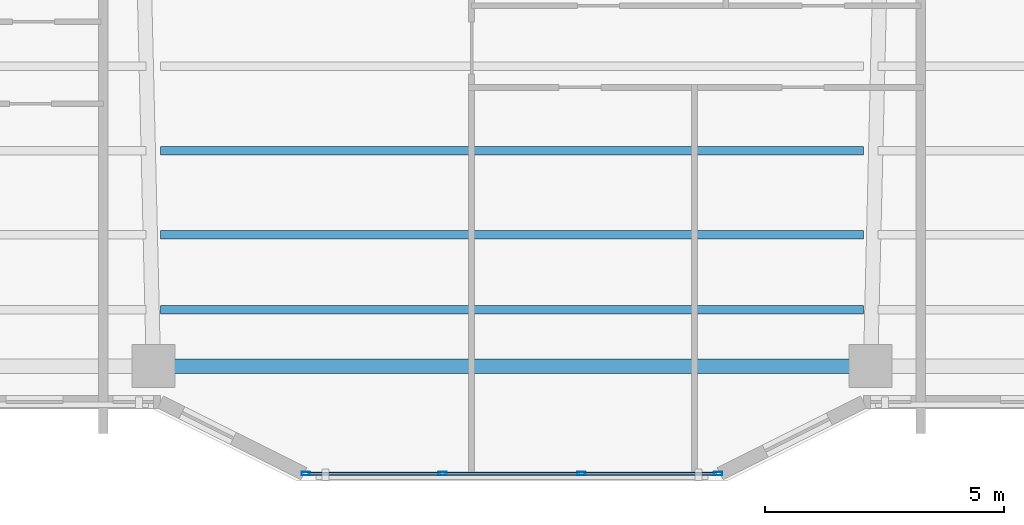
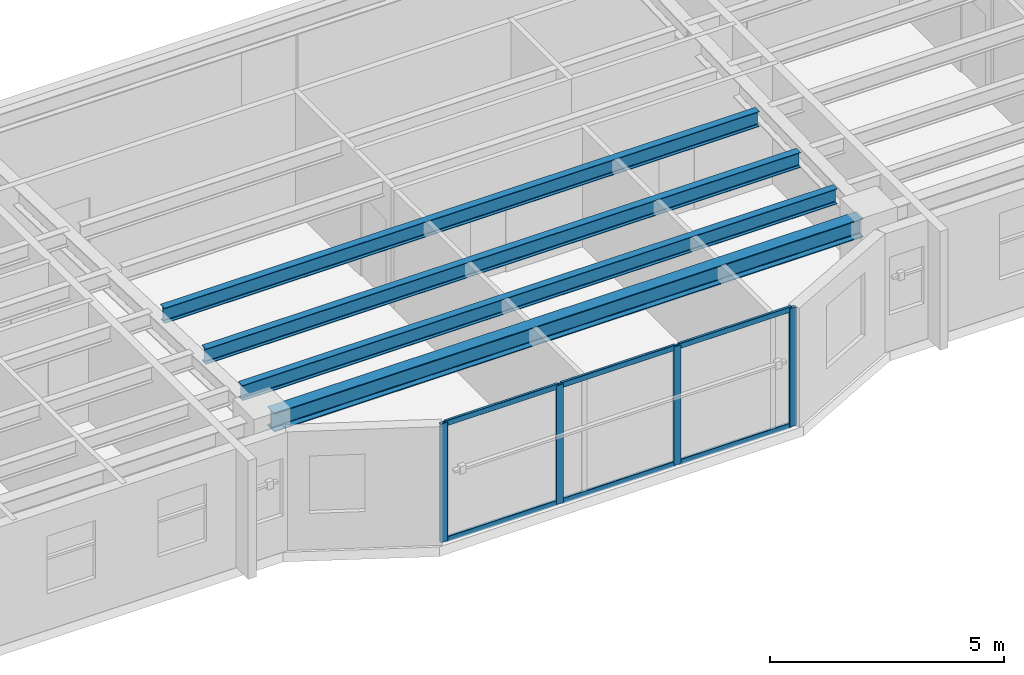
# One storey, part 2 of 15: 10 members, 4 beams, 1 element without a shape of its own.
"""IFC4 building model written with IfcOpenShell, lengths in metres."""

from ifc_helpers import new_model, si_unit, direction, frame, origin, origin_2d, place, context, subcontext, project, spatial, hollow_rectangle, i_section, extrude, material, layer, layer_set, material_profile, profile_set, type_object, element, aggregate, save


model = new_model("IFC4")

# Units and contexts
model_context = context("Model", 3, precision=1e-05, world=origin(), true_north=direction((0.0, 1.0)))
body_context = subcontext(model_context, "Body", "Model", "MODEL_VIEW")
ifc_project = project(units=[si_unit("LENGTHUNIT", "METRE"), si_unit("AREAUNIT", "SQUARE_METRE"), si_unit("VOLUMEUNIT", "CUBIC_METRE"), si_unit("PLANEANGLEUNIT", "RADIAN"), si_unit("MASSUNIT", "GRAM", prefix="KILO")], contexts=[model_context])

# Site, building, storey
site_placement = place(None, origin())
site = spatial("IfcSite", under=ifc_project, at=site_placement, CompositionType="ELEMENT")
building_placement = place(site_placement, origin())
building = spatial("IfcBuilding", under=site, at=building_placement, Name="Tarnavaz Court Tower", CompositionType="ELEMENT")
storey_placement = place(building_placement, frame((0.0, 0.0, 159.39990234375)))
storey = spatial("IfcBuildingStorey", under=building, at=storey_placement, Name="L43", CompositionType="ELEMENT", Elevation=159.39990234375)

# Beams
ifc_material_1 = material(Name="Steel S355", Category="steel")
ifc_material_profile_1 = material_profile(ifc_material_1, i_section(OverallWidth=0.179931640625, OverallDepth=0.39990234375, WebThickness=0.008544921875, FlangeThickness=0.013427734375, FilletRadius=0.02099609375, at=origin_2d()), Name="IPE 400")
ifc_profile_set_1 = profile_set([ifc_material_profile_1], Name="Steel S355")
beam_type_1 = type_object("IfcBeamType", Name="BM-J-IPE400", PredefinedType="JOIST", material=ifc_profile_set_1)
for number, where, z_axis, x_axis, name in (
    (1, (-7.35009765625, -15.89208984375, 2.900146484375), (1.0, 0.0, 0.0), (0.0, 1.0, 0.0), "L43 Beam JS3-2"),
    (2, (-7.35009765625, -17.656005859375, 2.900146484375), (1.0, 0.0, 0.0), (0.0, 1.0, 0.0), "L43 Beam JS4-2"),
    (3, (-7.35009765625, -19.22412109375, 2.900146484375), (1.0, 0.0, 0.0), (0.0, 1.0, 0.0), "L43 Beam JS5-2"),
):
    element("IfcBeam", number, at=place(storey_placement, frame(where, z_axis=z_axis, x_axis=x_axis)), inside=storey, type_object=beam_type_1, Name=name, PredefinedType="JOIST", context=body_context, shape_type="SweptSolid", body=[
        extrude(i_section(OverallWidth=0.179931640625, OverallDepth=0.39990234375, WebThickness=0.008544921875, FlangeThickness=0.013427734375, FilletRadius=0.02099609375, at=origin_2d()), origin(), (0.0, 0.0, 1.0), 14.7001953125),
    ])
ifc_material_profile_2 = material_profile(ifc_material_1, i_section(OverallWidth=0.300048828125, OverallDepth=0.489990234375, WebThickness=0.011962890625, FlangeThickness=0.02294921875, FilletRadius=0.027099609375, at=origin_2d()), Name="HEA 500")
ifc_profile_set_2 = profile_set([ifc_material_profile_2], Name="Steel S355")
beam_type_2 = type_object("IfcBeamType", Name="BM-SP-HEA500", PredefinedType="SPANDREL", material=ifc_profile_set_2)
beam_placement = place(storey_placement, frame((-7.280029296875, -20.39990234375, 2.85498046875), z_axis=(1.0, 0.0, 0.0), x_axis=(0.0, 1.0, 0.0)))
element("IfcBeam", 4, at=beam_placement, inside=storey, type_object=beam_type_2, Name="L43 Beam PR-PS-2-PS-3", PredefinedType="SPANDREL", context=body_context, shape_type="SweptSolid", body=[
    extrude(i_section(OverallWidth=0.300048828125, OverallDepth=0.489990234375, WebThickness=0.011962890625, FlangeThickness=0.02294921875, FilletRadius=0.027099609375, at=origin_2d()), origin(), (0.0, 0.0, 1.0), 14.56005859375),
])

# Curtain wall, members
ifc_material_2 = material(Name="Anodised Aluminium 6063-T6 and Solar Low-E Glazing", Category="aluminium")
ifc_layer = layer(ifc_material_2, 0.159912109375)
ifc_layer_set = layer_set([ifc_layer], Name="Anodised Aluminium 6063-T6 and Solar Low-E Glazing")
curtain_wall_type = type_object("IfcCurtainWallType", Name="CW-SYS-03", PredefinedType="NOTDEFINED", material=ifc_layer_set)
curtain_wall_placement = place(storey_placement, origin())
curtain_wall = element("IfcCurtainWall", 5, at=curtain_wall_placement, inside=storey, type_object=curtain_wall_type, Name="L43 Iwan Prow Curtain Wall 17", PredefinedType="NOTDEFINED")
ifc_material_3 = material(Name="Anodised Aluminium 6063-T6", Category="aluminium")
ifc_material_profile_3 = material_profile(ifc_material_3, hollow_rectangle(XDim=0.074951171875, YDim=0.179931640625, WallThickness=0.0048828125, InnerFilletRadius=0.0048828125, OuterFilletRadius=0.010009765625, at=origin_2d()), Name="ALU RHS 180X75X5")
ifc_profile_set_3 = profile_set([ifc_material_profile_3], Name="Anodised Aluminium 6063-T6")
member_type_1 = type_object("IfcMemberType", Name="CW-MUL-180", PredefinedType="MULLION", material=ifc_profile_set_3)
member_1_placement = place(storey_placement, frame((4.3125, -22.64990234375, 0.0), z_axis=(0.0, 0.0, 1.0), x_axis=(0.0, -1.0, 0.0)))
member_1 = element("IfcMember", 6, at=member_1_placement, type_object=member_type_1, Name="CW mullion 1", PredefinedType="MULLION", context=body_context, shape_type="SweptSolid", body=[
    extrude(hollow_rectangle(XDim=0.074951171875, YDim=0.179931640625, WallThickness=0.0048828125, InnerFilletRadius=0.0048828125, OuterFilletRadius=0.010009765625, at=origin_2d()), origin(), (0.0, 0.0, 1.0), 3.10009765625),
])
member_2_placement = place(storey_placement, frame((1.449951171875, -22.64990234375, 0.0), z_axis=(0.0, 0.0, 1.0), x_axis=(0.0, -1.0, 0.0)))
member_2 = element("IfcMember", 7, at=member_2_placement, type_object=member_type_1, Name="CW mullion 2", PredefinedType="MULLION", context=body_context, shape_type="SweptSolid", body=[
    extrude(hollow_rectangle(XDim=0.074951171875, YDim=0.179931640625, WallThickness=0.0048828125, InnerFilletRadius=0.0048828125, OuterFilletRadius=0.010009765625, at=origin_2d()), origin(), (0.0, 0.0, 1.0), 3.10009765625),
])
member_3_placement = place(storey_placement, frame((-1.449951171875, -22.64990234375, 0.0), z_axis=(0.0, 0.0, 1.0), x_axis=(0.0, -1.0, 0.0)))
member_3 = element("IfcMember", 8, at=member_3_placement, type_object=member_type_1, Name="CW mullion 3", PredefinedType="MULLION", context=body_context, shape_type="SweptSolid", body=[
    extrude(hollow_rectangle(XDim=0.074951171875, YDim=0.179931640625, WallThickness=0.0048828125, InnerFilletRadius=0.0048828125, OuterFilletRadius=0.010009765625, at=origin_2d()), origin(), (0.0, 0.0, 1.0), 3.10009765625),
])
member_4_placement = place(storey_placement, frame((-4.3125, -22.64990234375, 0.0), z_axis=(0.0, 0.0, 1.0), x_axis=(0.0, -1.0, 0.0)))
member_4 = element("IfcMember", 9, at=member_4_placement, type_object=member_type_1, Name="CW mullion 4", PredefinedType="MULLION", context=body_context, shape_type="SweptSolid", body=[
    extrude(hollow_rectangle(XDim=0.074951171875, YDim=0.179931640625, WallThickness=0.0048828125, InnerFilletRadius=0.0048828125, OuterFilletRadius=0.010009765625, at=origin_2d()), origin(), (0.0, 0.0, 1.0), 3.10009765625),
])
ifc_material_profile_4 = material_profile(ifc_material_3, hollow_rectangle(XDim=0.06494140625, YDim=0.139892578125, WallThickness=0.00390625, InnerFilletRadius=0.00390625, OuterFilletRadius=0.008056640625, at=origin_2d()), Name="ALU RHS 140X65X4")
ifc_profile_set_4 = profile_set([ifc_material_profile_4], Name="Anodised Aluminium 6063-T6")
member_type_2 = type_object("IfcMemberType", Name="CW-TRN-140", PredefinedType="USERDEFINED", material=ifc_profile_set_4)
member_5_placement = place(storey_placement, frame((4.27490234375, -22.64990234375, 0.03271484375), z_axis=(-1.0, 0.0, 0.0), x_axis=(0.0, -1.0, 0.0)))
member_5 = element("IfcMember", 10, at=member_5_placement, type_object=member_type_2, Name="CW transom 1.1", ObjectType="TRANSOM", PredefinedType="USERDEFINED", context=body_context, shape_type="SweptSolid", body=[
    extrude(hollow_rectangle(XDim=0.06494140625, YDim=0.139892578125, WallThickness=0.00390625, InnerFilletRadius=0.00390625, OuterFilletRadius=0.008056640625, at=origin_2d()), origin(), (0.0, 0.0, 1.0), 2.787353515625),
])
member_6_placement = place(storey_placement, frame((4.27490234375, -22.64990234375, 3.067626953125), z_axis=(-1.0, 0.0, 0.0), x_axis=(0.0, -1.0, 0.0)))
member_6 = element("IfcMember", 11, at=member_6_placement, type_object=member_type_2, Name="CW transom 1.2", ObjectType="TRANSOM", PredefinedType="USERDEFINED", context=body_context, shape_type="SweptSolid", body=[
    extrude(hollow_rectangle(XDim=0.06494140625, YDim=0.139892578125, WallThickness=0.00390625, InnerFilletRadius=0.00390625, OuterFilletRadius=0.008056640625, at=origin_2d()), origin(), (0.0, 0.0, 1.0), 2.787353515625),
])
member_7_placement = place(storey_placement, frame((1.41259765625, -22.64990234375, 0.03271484375), z_axis=(-1.0, 0.0, 0.0), x_axis=(0.0, -1.0, 0.0)))
member_7 = element("IfcMember", 12, at=member_7_placement, type_object=member_type_2, Name="CW transom 2.1", ObjectType="TRANSOM", PredefinedType="USERDEFINED", context=body_context, shape_type="SweptSolid", body=[
    extrude(hollow_rectangle(XDim=0.06494140625, YDim=0.139892578125, WallThickness=0.00390625, InnerFilletRadius=0.00390625, OuterFilletRadius=0.008056640625, at=origin_2d()), origin(), (0.0, 0.0, 1.0), 2.8251953125),
])
member_8_placement = place(storey_placement, frame((1.41259765625, -22.64990234375, 3.067626953125), z_axis=(-1.0, 0.0, 0.0), x_axis=(0.0, -1.0, 0.0)))
member_8 = element("IfcMember", 13, at=member_8_placement, type_object=member_type_2, Name="CW transom 2.2", ObjectType="TRANSOM", PredefinedType="USERDEFINED", context=body_context, shape_type="SweptSolid", body=[
    extrude(hollow_rectangle(XDim=0.06494140625, YDim=0.139892578125, WallThickness=0.00390625, InnerFilletRadius=0.00390625, OuterFilletRadius=0.008056640625, at=origin_2d()), origin(), (0.0, 0.0, 1.0), 2.8251953125),
])
member_9_placement = place(storey_placement, frame((-1.487548828125, -22.64990234375, 0.03271484375), z_axis=(-1.0, 0.0, 0.0), x_axis=(0.0, -1.0, 0.0)))
member_9 = element("IfcMember", 14, at=member_9_placement, type_object=member_type_2, Name="CW transom 3.1", ObjectType="TRANSOM", PredefinedType="USERDEFINED", context=body_context, shape_type="SweptSolid", body=[
    extrude(hollow_rectangle(XDim=0.06494140625, YDim=0.139892578125, WallThickness=0.00390625, InnerFilletRadius=0.00390625, OuterFilletRadius=0.008056640625, at=origin_2d()), origin(), (0.0, 0.0, 1.0), 2.787353515625),
])
member_10_placement = place(storey_placement, frame((-1.487548828125, -22.64990234375, 3.067626953125), z_axis=(-1.0, 0.0, 0.0), x_axis=(0.0, -1.0, 0.0)))
member_10 = element("IfcMember", 15, at=member_10_placement, type_object=member_type_2, Name="CW transom 3.2", ObjectType="TRANSOM", PredefinedType="USERDEFINED", context=body_context, shape_type="SweptSolid", body=[
    extrude(hollow_rectangle(XDim=0.06494140625, YDim=0.139892578125, WallThickness=0.00390625, InnerFilletRadius=0.00390625, OuterFilletRadius=0.008056640625, at=origin_2d()), origin(), (0.0, 0.0, 1.0), 2.787353515625),
])
aggregate(curtain_wall, [member_1, member_2, member_3, member_4, member_5, member_6, member_7, member_8, member_9, member_10])

save(model, "model.ifc")
